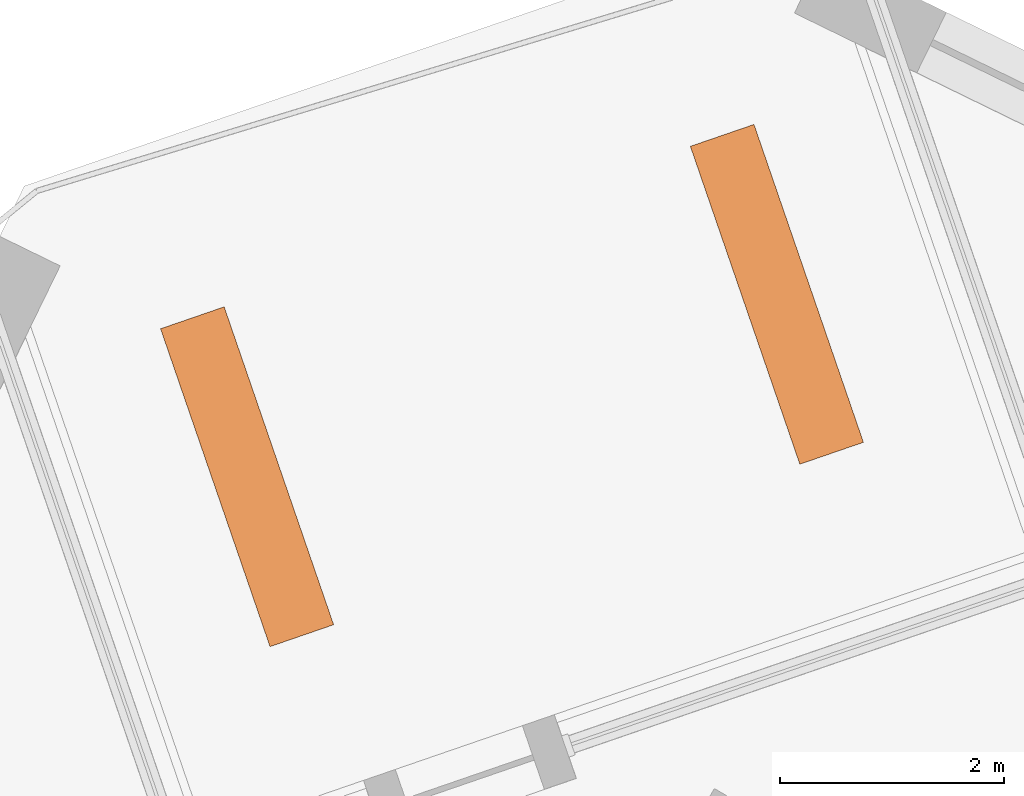
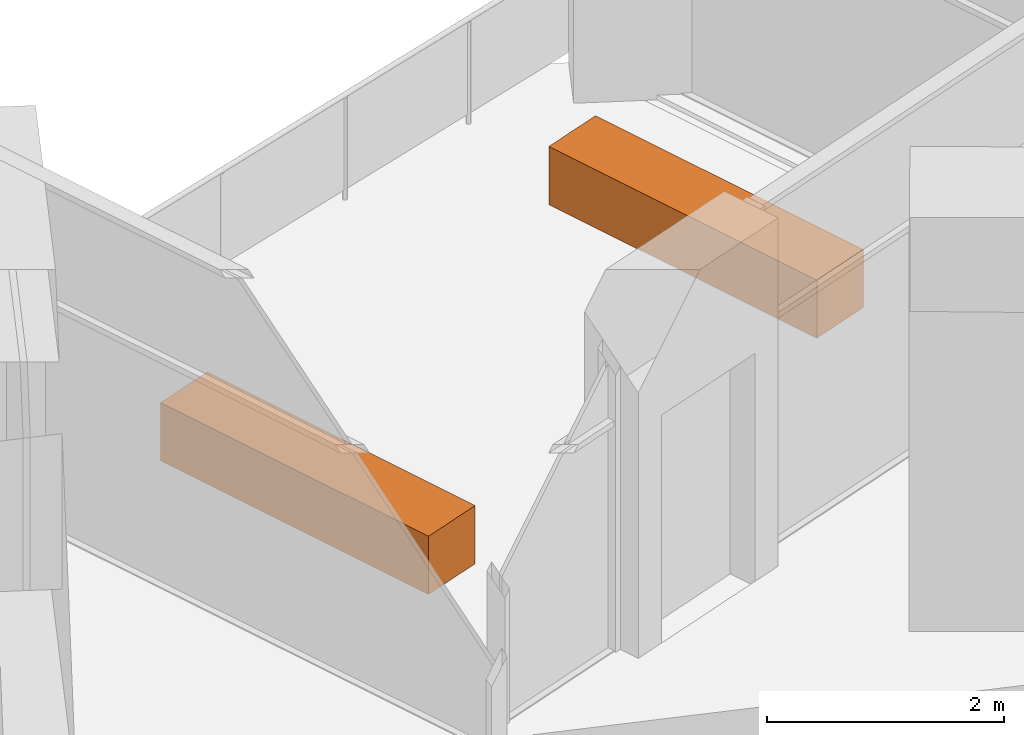
# One storey, part 13 of 13: 2 proxies.
"""IFC4 building model written with IfcOpenShell, lengths in metres."""

from ifc_helpers import new_model, si_unit, direction, frame, origin, origin_2d, place, context, subcontext, project, spatial, rectangle, extrude, element, save


model = new_model("IFC4")

# Units and contexts
model_context = context("Model", 3, precision=1e-05, world=origin(), true_north=direction((0.0, 1.0)))
body_context = subcontext(model_context, "Body", "Model", "MODEL_VIEW")
ifc_project = project(units=[si_unit("LENGTHUNIT", "METRE"), si_unit("AREAUNIT", "SQUARE_METRE"), si_unit("VOLUMEUNIT", "CUBIC_METRE"), si_unit("PLANEANGLEUNIT", "RADIAN"), si_unit("MASSUNIT", "GRAM", prefix="KILO")], contexts=[model_context])

# Site, building, storey
site_placement = place(None, origin())
site = spatial("IfcSite", under=ifc_project, at=site_placement, CompositionType="ELEMENT")
building_placement = place(site_placement, origin())
building = spatial("IfcBuilding", under=site, at=building_placement, Name="Dilmun Exchange Tower", CompositionType="ELEMENT")
storey_placement = place(building_placement, frame((0.0, 0.0, 282.89990234375)))
storey = spatial("IfcBuildingStorey", under=building, at=storey_placement, Name="L67", CompositionType="ELEMENT", Elevation=282.89990234375)

# Proxies
for number, where, z_axis, x_axis, name in (
    (1, (-3.626220703125, 31.89306640625, 0.0), (0.0, 0.0, 1.0), (-0.325568154457, 0.945518575599, 0.0), "PLANTER Ghaf tree L67.1"),
    (2, (-8.353759765625, 30.265380859375, 0.0), (0.0, 0.0, 1.0), (-0.325568154457, 0.945518575599, 0.0), "PLANTER Ghaf tree L67.2"),
):
    element("IfcBuildingElementProxy", number, at=place(storey_placement, frame(where, z_axis=z_axis, x_axis=x_axis)), inside=storey, Name=name, ObjectType="PLANTER", PredefinedType="USERDEFINED", context=body_context, shape_type="SweptSolid", body=[
        extrude(rectangle(XDim=3.0, YDim=0.60009765625, at=origin_2d()), origin(), (0.0, 0.0, 1.0), 0.60009765625),
    ])

save(model, "model.ifc")
